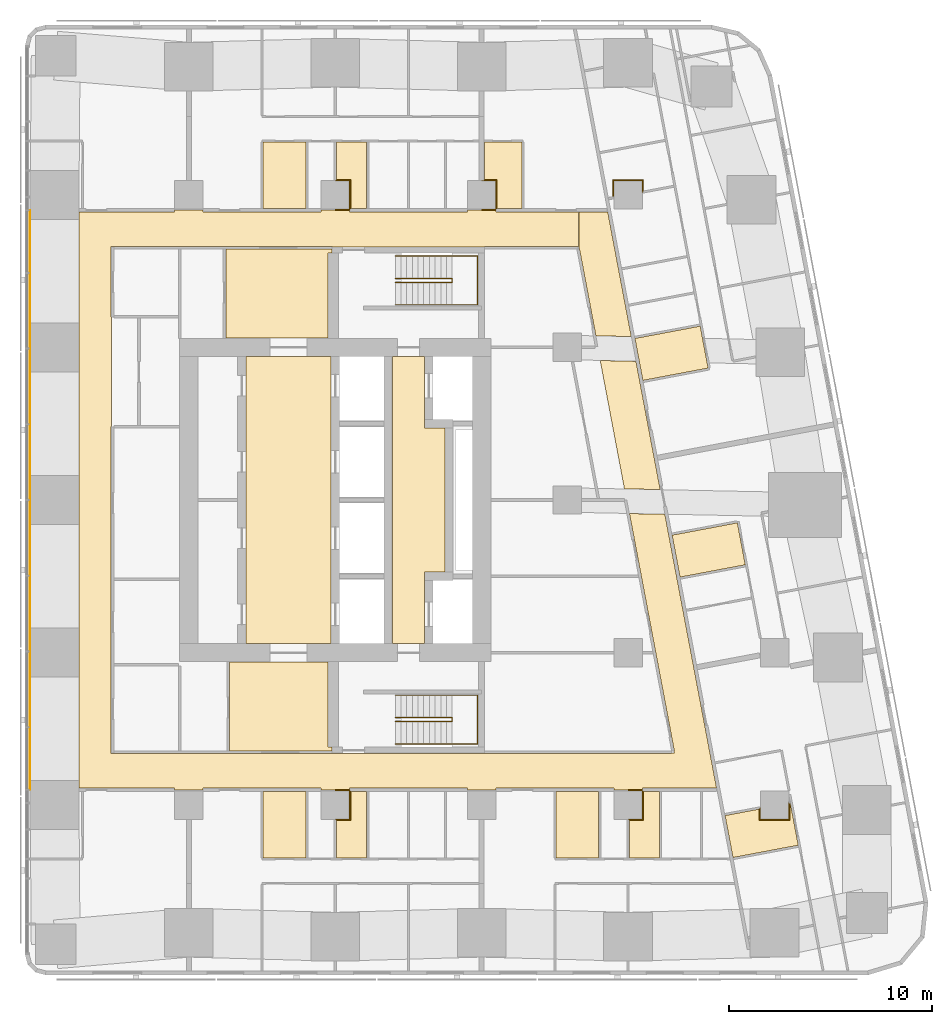
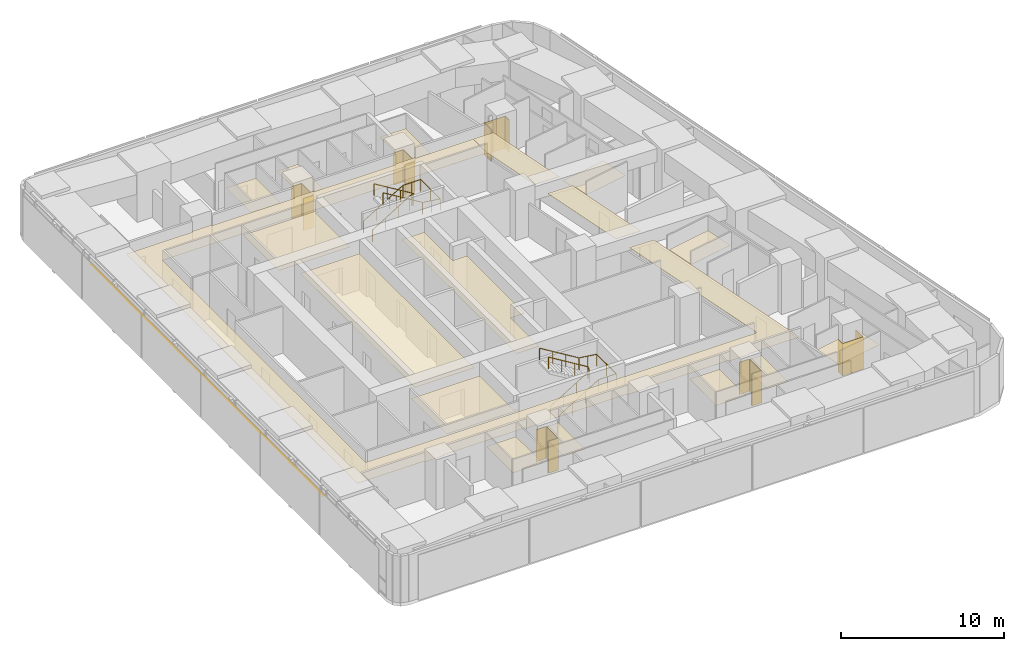
# One storey, part 19 of 19: 24 coverings, 4 railings.
"""IFC4 building model written with IfcOpenShell, lengths in metres."""

from ifc_helpers import new_model, si_unit, direction, frame, origin, origin_2d, place, context, subcontext, project, spatial, polyline, circle, outline, extrude, material, layer, layer_set, type_object, element, save


model = new_model("IFC4")

# Units and contexts
model_context = context("Model", 3, precision=1e-05, world=origin(), true_north=direction((0.0, 1.0)))
body_context = subcontext(model_context, "Body", "Model", "MODEL_VIEW")
ifc_project = project(units=[si_unit("LENGTHUNIT", "METRE"), si_unit("AREAUNIT", "SQUARE_METRE"), si_unit("VOLUMEUNIT", "CUBIC_METRE"), si_unit("PLANEANGLEUNIT", "RADIAN"), si_unit("MASSUNIT", "GRAM", prefix="KILO")], contexts=[model_context])

# Site, building, storey
site_placement = place(None, origin())
site = spatial("IfcSite", under=ifc_project, at=site_placement, CompositionType="ELEMENT")
building_placement = place(site_placement, origin())
building = spatial("IfcBuilding", under=site, at=building_placement, Name="Sheger Commons Tower", CompositionType="ELEMENT")
storey_placement = place(building_placement, frame((0.0, 0.0, 201.199951171875)))
storey = spatial("IfcBuildingStorey", under=building, at=storey_placement, Name="L51", CompositionType="ELEMENT", Elevation=201.199951171875)

# Railings
ifc_material_1 = material(Name="Steel handrail, black powder-coated", Category="steel")
railing_type = type_object("IfcRailingType", Name="HANDRAIL 900", PredefinedType="HANDRAIL", material=ifc_material_1)
railing_1_placement = place(storey_placement, frame((24.550048828125, 11.60009765625, 0.17041015625)))
element("IfcRailing", 1, at=railing_1_placement, inside=storey, type_object=railing_type, Name="Stair S1 handrail L51", PredefinedType="HANDRAIL", context=body_context, shape_type="SweptSolid", body=[
    extrude(circle(Radius=0.02392578125, at=origin_2d()), frame((0.0, 0.0, 0.8759765625), z_axis=(0.854169791009, 0.0, 0.51999420009), x_axis=(0.0, 1.0, 0.0)), (0.0, 0.0, 1.0), 3.278076171875),
    extrude(circle(Radius=0.02392578125, at=origin_2d()), frame((2.800048828125, 0.0, 2.58056640625), z_axis=(0.0, 0.761090297175, 0.648645943136), x_axis=(-1.0, 0.0, 0.0)), (0.0, 0.0, 1.0), 0.2626953125),
    extrude(circle(Radius=0.02392578125, at=origin_2d()), frame((2.800048828125, 0.199951171875, 2.7509765625), z_axis=(-0.854169791009, 0.0, 0.51999420009), x_axis=(0.0, -1.0, 0.0)), (0.0, 0.0, 1.0), 3.278076171875),
    extrude(circle(Radius=0.02099609375, at=origin_2d()), origin(), (0.0, 0.0, 1.0), 0.851806640625),
    extrude(circle(Radius=0.02099609375, at=origin_2d()), frame((0.933349609375, 0.0, 0.568115234375)), (0.0, 0.0, 1.0), 0.851806640625),
    extrude(circle(Radius=0.02099609375, at=origin_2d()), frame((1.86669921875, 0.0, 1.136474609375)), (0.0, 0.0, 1.0), 0.851806640625),
    extrude(circle(Radius=0.02099609375, at=origin_2d()), frame((2.800048828125, 0.0, 1.70458984375)), (0.0, 0.0, 1.0), 0.851806640625),
    extrude(circle(Radius=0.02099609375, at=origin_2d()), frame((2.800048828125, 0.199951171875, 1.875)), (0.0, 0.0, 1.0), 0.851806640625),
    extrude(circle(Radius=0.02099609375, at=origin_2d()), frame((1.86669921875, 0.199951171875, 2.443115234375)), (0.0, 0.0, 1.0), 0.851806640625),
    extrude(circle(Radius=0.02099609375, at=origin_2d()), frame((0.933349609375, 0.199951171875, 3.011474609375)), (0.0, 0.0, 1.0), 0.851806640625),
    extrude(circle(Radius=0.02099609375, at=origin_2d()), frame((0.0, 0.199951171875, 3.57958984375)), (0.0, 0.0, 1.0), 0.851806640625),
])
railing_2_placement = place(storey_placement, frame((24.550048828125, 10.5, 0.17041015625)))
element("IfcRailing", 2, at=railing_2_placement, inside=storey, type_object=railing_type, Name="Stair S1 handrail L51", PredefinedType="HANDRAIL", context=body_context, shape_type="SweptSolid", body=[
    extrude(circle(Radius=0.02392578125, at=origin_2d()), frame((0.0, 0.0, 0.8759765625), z_axis=(0.854169791009, 0.0, 0.51999420009), x_axis=(0.0, 1.0, 0.0)), (0.0, 0.0, 1.0), 3.278076171875),
    extrude(circle(Radius=0.02392578125, at=origin_2d()), frame((2.800048828125, 0.0, 2.58056640625), z_axis=(1.0, 0.0, 0.0), x_axis=(0.0, 1.0, 0.0)), (0.0, 0.0, 1.0), 1.25),
    extrude(circle(Radius=0.02392578125, at=origin_2d()), frame((4.050048828125, 0.0, 2.58056640625), z_axis=(0.0, 1.0, 0.0), x_axis=(-1.0, 0.0, 0.0)), (0.0, 0.0, 1.0), 2.39990234375),
    extrude(circle(Radius=0.02392578125, at=origin_2d()), frame((4.050048828125, 2.39990234375, 2.58056640625), z_axis=(-0.990834877927, 0.0, 0.135078661092), x_axis=(0.0, -1.0, 0.0)), (0.0, 0.0, 1.0), 1.261474609375),
    extrude(circle(Radius=0.02392578125, at=origin_2d()), frame((2.800048828125, 2.39990234375, 2.7509765625), z_axis=(-0.854169791009, 0.0, 0.51999420009), x_axis=(0.0, -1.0, 0.0)), (0.0, 0.0, 1.0), 3.278076171875),
    extrude(circle(Radius=0.02099609375, at=origin_2d()), origin(), (0.0, 0.0, 1.0), 0.851806640625),
    extrude(circle(Radius=0.02099609375, at=origin_2d()), frame((0.933349609375, 0.0, 0.568115234375)), (0.0, 0.0, 1.0), 0.851806640625),
    extrude(circle(Radius=0.02099609375, at=origin_2d()), frame((1.86669921875, 0.0, 1.136474609375)), (0.0, 0.0, 1.0), 0.851806640625),
    extrude(circle(Radius=0.02099609375, at=origin_2d()), frame((2.800048828125, 0.0, 1.70458984375)), (0.0, 0.0, 1.0), 0.851806640625),
    extrude(circle(Radius=0.02099609375, at=origin_2d()), frame((3.425048828125, 0.0, 1.70458984375)), (0.0, 0.0, 1.0), 0.851806640625),
    extrude(circle(Radius=0.02099609375, at=origin_2d()), frame((4.050048828125, 0.0, 1.70458984375)), (0.0, 0.0, 1.0), 0.851806640625),
    extrude(circle(Radius=0.02099609375, at=origin_2d()), frame((4.050048828125, 1.199951171875, 1.70458984375)), (0.0, 0.0, 1.0), 0.851806640625),
    extrude(circle(Radius=0.02099609375, at=origin_2d()), frame((4.050048828125, 2.39990234375, 1.70458984375)), (0.0, 0.0, 1.0), 0.851806640625),
    extrude(circle(Radius=0.02099609375, at=origin_2d()), frame((3.425048828125, 2.39990234375, 1.789794921875)), (0.0, 0.0, 1.0), 0.851806640625),
    extrude(circle(Radius=0.02099609375, at=origin_2d()), frame((2.800048828125, 2.39990234375, 1.875)), (0.0, 0.0, 1.0), 0.851806640625),
    extrude(circle(Radius=0.02099609375, at=origin_2d()), frame((1.86669921875, 2.39990234375, 2.443115234375)), (0.0, 0.0, 1.0), 0.851806640625),
    extrude(circle(Radius=0.02099609375, at=origin_2d()), frame((0.933349609375, 2.39990234375, 3.011474609375)), (0.0, 0.0, 1.0), 0.851806640625),
    extrude(circle(Radius=0.02099609375, at=origin_2d()), frame((0.0, 2.39990234375, 3.57958984375)), (0.0, 0.0, 1.0), 0.851806640625),
])
railing_3_placement = place(storey_placement, frame((24.550048828125, 33.39990234375, 0.17041015625)))
element("IfcRailing", 3, at=railing_3_placement, inside=storey, type_object=railing_type, Name="Stair S2 handrail L51", PredefinedType="HANDRAIL", context=body_context, shape_type="SweptSolid", body=[
    extrude(circle(Radius=0.02392578125, at=origin_2d()), frame((0.0, 0.0, 0.8759765625), z_axis=(0.854169791009, 0.0, 0.51999420009), x_axis=(0.0, 1.0, 0.0)), (0.0, 0.0, 1.0), 3.278076171875),
    extrude(circle(Radius=0.02392578125, at=origin_2d()), frame((2.800048828125, 0.0, 2.58056640625), z_axis=(0.0, -0.761090297175, 0.648645943136), x_axis=(1.0, 0.0, 0.0)), (0.0, 0.0, 1.0), 0.2626953125),
    extrude(circle(Radius=0.02392578125, at=origin_2d()), frame((2.800048828125, -0.199951171875, 2.7509765625), z_axis=(-0.854169791009, 0.0, 0.51999420009), x_axis=(0.0, -1.0, 0.0)), (0.0, 0.0, 1.0), 3.278076171875),
    extrude(circle(Radius=0.02099609375, at=origin_2d()), origin(), (0.0, 0.0, 1.0), 0.851806640625),
    extrude(circle(Radius=0.02099609375, at=origin_2d()), frame((0.933349609375, 0.0, 0.568115234375)), (0.0, 0.0, 1.0), 0.851806640625),
    extrude(circle(Radius=0.02099609375, at=origin_2d()), frame((1.86669921875, 0.0, 1.136474609375)), (0.0, 0.0, 1.0), 0.851806640625),
    extrude(circle(Radius=0.02099609375, at=origin_2d()), frame((2.800048828125, 0.0, 1.70458984375)), (0.0, 0.0, 1.0), 0.851806640625),
    extrude(circle(Radius=0.02099609375, at=origin_2d()), frame((2.800048828125, -0.199951171875, 1.875)), (0.0, 0.0, 1.0), 0.851806640625),
    extrude(circle(Radius=0.02099609375, at=origin_2d()), frame((1.86669921875, -0.199951171875, 2.443115234375)), (0.0, 0.0, 1.0), 0.851806640625),
    extrude(circle(Radius=0.02099609375, at=origin_2d()), frame((0.933349609375, -0.199951171875, 3.011474609375)), (0.0, 0.0, 1.0), 0.851806640625),
    extrude(circle(Radius=0.02099609375, at=origin_2d()), frame((0.0, -0.199951171875, 3.57958984375)), (0.0, 0.0, 1.0), 0.851806640625),
])
railing_4_placement = place(storey_placement, frame((24.550048828125, 34.5, 0.17041015625)))
element("IfcRailing", 4, at=railing_4_placement, inside=storey, type_object=railing_type, Name="Stair S2 handrail L51", PredefinedType="HANDRAIL", context=body_context, shape_type="SweptSolid", body=[
    extrude(circle(Radius=0.02392578125, at=origin_2d()), frame((0.0, 0.0, 0.8759765625), z_axis=(0.854169791009, 0.0, 0.51999420009), x_axis=(0.0, 1.0, 0.0)), (0.0, 0.0, 1.0), 3.278076171875),
    extrude(circle(Radius=0.02392578125, at=origin_2d()), frame((2.800048828125, 0.0, 2.58056640625), z_axis=(1.0, 0.0, 0.0), x_axis=(0.0, 1.0, 0.0)), (0.0, 0.0, 1.0), 1.25),
    extrude(circle(Radius=0.02392578125, at=origin_2d()), frame((4.050048828125, 0.0, 2.58056640625), z_axis=(0.0, -1.0, 0.0), x_axis=(1.0, 0.0, 0.0)), (0.0, 0.0, 1.0), 2.39990234375),
    extrude(circle(Radius=0.02392578125, at=origin_2d()), frame((4.050048828125, -2.39990234375, 2.58056640625), z_axis=(-0.990834877927, 0.0, 0.135078661092), x_axis=(0.0, -1.0, 0.0)), (0.0, 0.0, 1.0), 1.261474609375),
    extrude(circle(Radius=0.02392578125, at=origin_2d()), frame((2.800048828125, -2.39990234375, 2.7509765625), z_axis=(-0.854169791009, 0.0, 0.51999420009), x_axis=(0.0, -1.0, 0.0)), (0.0, 0.0, 1.0), 3.278076171875),
    extrude(circle(Radius=0.02099609375, at=origin_2d()), origin(), (0.0, 0.0, 1.0), 0.851806640625),
    extrude(circle(Radius=0.02099609375, at=origin_2d()), frame((0.933349609375, 0.0, 0.568115234375)), (0.0, 0.0, 1.0), 0.851806640625),
    extrude(circle(Radius=0.02099609375, at=origin_2d()), frame((1.86669921875, 0.0, 1.136474609375)), (0.0, 0.0, 1.0), 0.851806640625),
    extrude(circle(Radius=0.02099609375, at=origin_2d()), frame((2.800048828125, 0.0, 1.70458984375)), (0.0, 0.0, 1.0), 0.851806640625),
    extrude(circle(Radius=0.02099609375, at=origin_2d()), frame((3.425048828125, 0.0, 1.70458984375)), (0.0, 0.0, 1.0), 0.851806640625),
    extrude(circle(Radius=0.02099609375, at=origin_2d()), frame((4.050048828125, 0.0, 1.70458984375)), (0.0, 0.0, 1.0), 0.851806640625),
    extrude(circle(Radius=0.02099609375, at=origin_2d()), frame((4.050048828125, -1.199951171875, 1.70458984375)), (0.0, 0.0, 1.0), 0.851806640625),
    extrude(circle(Radius=0.02099609375, at=origin_2d()), frame((4.050048828125, -2.39990234375, 1.70458984375)), (0.0, 0.0, 1.0), 0.851806640625),
    extrude(circle(Radius=0.02099609375, at=origin_2d()), frame((3.425048828125, -2.39990234375, 1.789794921875)), (0.0, 0.0, 1.0), 0.851806640625),
    extrude(circle(Radius=0.02099609375, at=origin_2d()), frame((2.800048828125, -2.39990234375, 1.875)), (0.0, 0.0, 1.0), 0.851806640625),
    extrude(circle(Radius=0.02099609375, at=origin_2d()), frame((1.86669921875, -2.39990234375, 2.443115234375)), (0.0, 0.0, 1.0), 0.851806640625),
    extrude(circle(Radius=0.02099609375, at=origin_2d()), frame((0.933349609375, -2.39990234375, 3.011474609375)), (0.0, 0.0, 1.0), 0.851806640625),
    extrude(circle(Radius=0.02099609375, at=origin_2d()), frame((0.0, -2.39990234375, 3.57958984375)), (0.0, 0.0, 1.0), 0.851806640625),
])

# Coverings
ifc_material_2 = material(Name="Moisture-resistant gypsum plasterboard 15 mm on a suspended galvanised steel grid", Category="steel")
ifc_layer_1 = layer(ifc_material_2, 0.014892578125)
ifc_layer_set_1 = layer_set([ifc_layer_1], Name="MOISTURE-RESISTANT CEILING 15")
covering_type_1 = type_object("IfcCoveringType", Name="MOISTURE-RESISTANT CEILING 15", PredefinedType="CEILING", material=ifc_layer_set_1)
covering_1_placement = place(storey_placement, frame((0.0, 0.0, 2.400146484375)))
element("IfcCovering", 5, at=covering_1_placement, inside=storey, type_object=covering_type_1, Name="L51-02.B1 ceiling", PredefinedType="CEILING", context=body_context, shape_type="SweptSolid", body=[
    extrude(outline(polyline([(18.054931640625, 4.905029296875), (20.155029296875, 4.905029296875), (20.155029296875, 8.169921875), (18.054931640625, 8.169921875), (18.054931640625, 4.905029296875)])), origin(), (0.0, 0.0, 1.0), 0.014892578125),
])
covering_2_placement = place(storey_placement, frame((0.0, 0.0, 2.400146484375)))
element("IfcCovering", 6, at=covering_2_placement, inside=storey, type_object=covering_type_1, Name="L51-02.B2 ceiling", PredefinedType="CEILING", context=body_context, shape_type="SweptSolid", body=[
    extrude(outline(polyline([(21.655029296875, 4.905029296875), (23.14501953125, 4.905029296875), (23.14501953125, 8.169921875), (22.304931640625, 8.169921875), (22.304931640625, 6.794921875), (21.655029296875, 6.794921875), (21.655029296875, 4.905029296875)])), origin(), (0.0, 0.0, 1.0), 0.014892578125),
])
covering_3_placement = place(storey_placement, frame((0.0, 0.0, 2.400146484375)))
element("IfcCovering", 7, at=covering_3_placement, inside=storey, type_object=covering_type_1, Name="L51-03.B1 ceiling", PredefinedType="CEILING", context=body_context, shape_type="SweptSolid", body=[
    extrude(outline(polyline([(32.455078125, 4.905029296875), (34.554931640625, 4.905029296875), (34.554931640625, 8.169921875), (32.455078125, 8.169921875), (32.455078125, 4.905029296875)])), origin(), (0.0, 0.0, 1.0), 0.014892578125),
])
covering_4_placement = place(storey_placement, frame((0.0, 0.0, 2.400146484375)))
element("IfcCovering", 8, at=covering_4_placement, inside=storey, type_object=covering_type_1, Name="L51-03.B2 ceiling", PredefinedType="CEILING", context=body_context, shape_type="SweptSolid", body=[
    extrude(outline(polyline([(36.054931640625, 4.905029296875), (37.544921875, 4.905029296875), (37.544921875, 8.169921875), (36.705078125, 8.169921875), (36.705078125, 6.794921875), (36.054931640625, 6.794921875), (36.054931640625, 4.905029296875)])), origin(), (0.0, 0.0, 1.0), 0.014892578125),
])
covering_5_placement = place(storey_placement, frame((0.0, 0.0, 2.400146484375)))
element("IfcCovering", 9, at=covering_5_placement, inside=storey, type_object=covering_type_1, Name="L51-04.B1 ceiling", PredefinedType="CEILING", context=body_context, shape_type="SweptSolid", body=[
    extrude(outline(polyline([(36.72509765625, 28.37890625), (39.93310546875, 28.986083984375), (39.54296875, 31.049072265625), (36.3349609375, 30.443115234375), (36.72509765625, 28.37890625)])), origin(), (0.0, 0.0, 1.0), 0.014892578125),
])
covering_6_placement = place(storey_placement, frame((0.0, 0.0, 2.400146484375)))
element("IfcCovering", 10, at=covering_6_placement, inside=storey, type_object=covering_type_1, Name="L51-05.B1 ceiling", PredefinedType="CEILING", context=body_context, shape_type="SweptSolid", body=[
    extrude(outline(polyline([(38.552001953125, 18.7080078125), (41.760009765625, 19.31396484375), (41.3701171875, 21.3779296875), (38.162109375, 20.77197265625), (38.552001953125, 18.7080078125)])), origin(), (0.0, 0.0, 1.0), 0.014892578125),
])
covering_7_placement = place(storey_placement, frame((0.0, 0.0, 2.400146484375)))
element("IfcCovering", 11, at=covering_7_placement, inside=storey, type_object=covering_type_1, Name="L51-06.B1 ceiling", PredefinedType="CEILING", context=body_context, shape_type="SweptSolid", body=[
    extrude(outline(polyline([(41.156005859375, 4.9208984375), (44.364013671875, 5.527099609375), (43.97412109375, 7.591064453125), (43.9150390625, 7.580078125), (43.906982421875, 7.623046875), (43.905029296875, 7.623046875), (43.905029296875, 6.794921875), (42.4951171875, 6.794921875), (42.4951171875, 7.31201171875), (40.76611328125, 6.985107421875), (41.156005859375, 4.9208984375)])), origin(), (0.0, 0.0, 1.0), 0.014892578125),
])
covering_8_placement = place(storey_placement, frame((0.0, 0.0, 2.400146484375)))
element("IfcCovering", 12, at=covering_8_placement, inside=storey, type_object=covering_type_1, Name="L51-08.B1 ceiling", PredefinedType="CEILING", context=body_context, shape_type="SweptSolid", body=[
    extrude(outline(polyline([(18.054931640625, 36.830078125), (20.155029296875, 36.830078125), (20.155029296875, 40.094970703125), (18.054931640625, 40.094970703125), (18.054931640625, 36.830078125)])), origin(), (0.0, 0.0, 1.0), 0.014892578125),
])
covering_9_placement = place(storey_placement, frame((0.0, 0.0, 2.400146484375)))
element("IfcCovering", 13, at=covering_9_placement, inside=storey, type_object=covering_type_1, Name="L51-08.B2 ceiling", PredefinedType="CEILING", context=body_context, shape_type="SweptSolid", body=[
    extrude(outline(polyline([(22.304931640625, 36.830078125), (23.14501953125, 36.830078125), (23.14501953125, 40.094970703125), (21.655029296875, 40.094970703125), (21.655029296875, 38.205078125), (22.304931640625, 38.205078125), (22.304931640625, 36.830078125)])), origin(), (0.0, 0.0, 1.0), 0.014892578125),
])
covering_10_placement = place(storey_placement, frame((0.0, 0.0, 2.400146484375)))
element("IfcCovering", 14, at=covering_10_placement, inside=storey, type_object=covering_type_1, Name="L51-09.B1 ceiling", PredefinedType="CEILING", context=body_context, shape_type="SweptSolid", body=[
    extrude(outline(polyline([(29.5048828125, 36.830078125), (30.77392578125, 36.830078125), (30.77392578125, 40.094970703125), (28.929931640625, 40.094970703125), (28.929931640625, 38.205078125), (29.5048828125, 38.205078125), (29.5048828125, 36.830078125)])), origin(), (0.0, 0.0, 1.0), 0.014892578125),
])
ifc_material_3 = material(Name="Gypsum plasterboard 15 mm on a suspended steel grid", Category="steel")
ifc_layer_2 = layer(ifc_material_3, 0.014892578125)
ifc_layer_set_2 = layer_set([ifc_layer_2], Name="SUSPENDED CEILING 15")
covering_type_2 = type_object("IfcCoveringType", Name="SUSPENDED CEILING 15", PredefinedType="CEILING", material=ifc_layer_set_2)
covering_11_placement = place(storey_placement, frame((0.0, 0.0, 2.699951171875)))
element("IfcCovering", 15, at=covering_11_placement, inside=storey, type_object=covering_type_2, Name="L51-CO ceiling", PredefinedType="CEILING", context=body_context, shape_type="SweptSolid", body=[
    extrude(outline(polyline([(6.554931640625, 8.25), (6.594970703125, 8.25), (6.594970703125, 36.75), (6.554931640625, 36.75), (6.554931640625, 8.25)])), origin(), (0.0, 0.0, 1.0), 0.01513671875),
])
covering_12_placement = place(storey_placement, frame((0.0, 0.0, 2.699951171875)))
element("IfcCovering", 16, at=covering_12_placement, inside=storey, type_object=covering_type_2, Name="L51-CO ceiling", PredefinedType="CEILING", context=body_context, shape_type="SweptSolid", body=[
    extrude(outline(polyline([(13.7041015625, 8.25), (15.095947265625, 8.25), (15.095947265625, 8.330078125), (20.904052734375, 8.330078125), (20.904052734375, 8.25), (22.2958984375, 8.25), (22.2958984375, 8.330078125), (28.10400390625, 8.330078125), (28.10400390625, 8.25), (29.49609375, 8.25), (29.49609375, 8.330078125), (35.303955078125, 8.330078125), (35.303955078125, 8.25), (36.696044921875, 8.25), (36.696044921875, 8.330078125), (40.34912109375, 8.330078125), (37.804931640625, 21.798095703125), (36.06591796875, 21.8330078125), (38.26904296875, 10.1708984375), (38.251953125, 10.1669921875), (38.27392578125, 10.050048828125), (38.14306640625, 10.050048828125), (38.14306640625, 10.031982421875), (28.945068359375, 10.031982421875), (28.945068359375, 10.044921875), (21.455078125, 10.044921875), (21.455078125, 10.031982421875), (10.7080078125, 10.031982421875), (10.7080078125, 10.044921875), (10.58203125, 10.044921875), (10.58203125, 26.10498046875), (10.60009765625, 26.10498046875), (10.60009765625, 31.4951171875), (10.58203125, 31.4951171875), (10.58203125, 34.955078125), (10.7080078125, 34.955078125), (10.7080078125, 34.968017578125), (21.455078125, 34.968017578125), (21.455078125, 34.949951171875), (28.945068359375, 34.949951171875), (28.945068359375, 34.968017578125), (33.54296875, 34.968017578125), (33.54296875, 34.949951171875), (33.568115234375, 34.949951171875), (33.568115234375, 36.669921875), (29.49609375, 36.669921875), (29.49609375, 36.75), (28.10400390625, 36.75), (28.10400390625, 36.669921875), (22.2958984375, 36.669921875), (22.2958984375, 36.75), (20.904052734375, 36.75), (20.904052734375, 36.669921875), (15.095947265625, 36.669921875), (15.095947265625, 36.75), (13.7041015625, 36.75), (13.7041015625, 36.669921875), (9.0048828125, 36.669921875), (9.0048828125, 8.330078125), (13.7041015625, 8.330078125), (13.7041015625, 8.25)])), origin(), (0.0, 0.0, 1.0), 0.01513671875),
])
covering_13_placement = place(storey_placement, frame((0.0, 0.0, 2.699951171875)))
element("IfcCovering", 17, at=covering_13_placement, inside=storey, type_object=covering_type_2, Name="L51-CO ceiling", PredefinedType="CEILING", context=body_context, shape_type="SweptSolid", body=[
    extrude(outline(polyline([(37.575927734375, 23.011962890625), (36.385009765625, 29.318115234375), (34.626953125, 29.35791015625), (35.819091796875, 23.048095703125), (37.575927734375, 23.011962890625)])), origin(), (0.0, 0.0, 1.0), 0.01513671875),
])
covering_14_placement = place(storey_placement, frame((0.0, 0.0, 2.699951171875)))
element("IfcCovering", 18, at=covering_14_placement, inside=storey, type_object=covering_type_2, Name="L51-CO ceiling", PredefinedType="CEILING", context=body_context, shape_type="SweptSolid", body=[
    extrude(outline(polyline([(36.155029296875, 30.533935546875), (34.98095703125, 36.75), (34.97705078125, 36.75), (34.97705078125, 36.669921875), (33.572998046875, 36.669921875), (33.572998046875, 34.947998046875), (33.571044921875, 34.947998046875), (33.589111328125, 34.85205078125), (33.60595703125, 34.85498046875), (34.416015625, 30.572998046875), (36.155029296875, 30.533935546875)])), origin(), (0.0, 0.0, 1.0), 0.01513671875),
])
covering_15_placement = place(storey_placement, frame((0.0, 0.0, 2.699951171875)))
element("IfcCovering", 19, at=covering_15_placement, inside=storey, type_object=covering_type_2, Name="L51-SVS1 ceiling", PredefinedType="CEILING", context=body_context, shape_type="SweptSolid", body=[
    extrude(outline(polyline([(16.406982421875, 10.16796875), (21.445068359375, 10.16796875), (21.445068359375, 10.344970703125), (21.2451171875, 10.344970703125), (21.2451171875, 14.544921875), (16.406982421875, 14.544921875), (16.406982421875, 10.16796875)])), origin(), (0.0, 0.0, 1.0), 0.01513671875),
])
covering_16_placement = place(storey_placement, frame((0.0, 0.0, 2.699951171875)))
element("IfcCovering", 20, at=covering_16_placement, inside=storey, type_object=covering_type_2, Name="L51-SVN1 ceiling", PredefinedType="CEILING", context=body_context, shape_type="SweptSolid", body=[
    extrude(outline(polyline([(16.217041015625, 30.455078125), (21.2451171875, 30.455078125), (21.2451171875, 34.655029296875), (21.445068359375, 34.655029296875), (21.445068359375, 34.83203125), (16.217041015625, 34.83203125), (16.217041015625, 30.455078125)])), origin(), (0.0, 0.0, 1.0), 0.01513671875),
])
covering_17_placement = place(storey_placement, frame((0.0, 0.0, 2.699951171875)))
element("IfcCovering", 21, at=covering_17_placement, inside=storey, type_object=covering_type_2, Name="L51-LL ceiling", PredefinedType="CEILING", context=body_context, shape_type="SweptSolid", body=[
    extrude(outline(polyline([(17.205078125, 15.455078125), (21.39990234375, 15.455078125), (21.39990234375, 29.544921875), (17.205078125, 29.544921875), (17.205078125, 15.455078125)])), origin(), (0.0, 0.0, 1.0), 0.01513671875),
])
covering_18_placement = place(storey_placement, frame((0.0, 0.0, 2.699951171875)))
element("IfcCovering", 22, at=covering_18_placement, inside=storey, type_object=covering_type_2, Name="L51-FL ceiling", PredefinedType="CEILING", context=body_context, shape_type="SweptSolid", body=[
    extrude(outline(polyline([(24.405029296875, 15.455078125), (25.9951171875, 15.455078125), (25.9951171875, 18.955078125), (26.9951171875, 18.955078125), (26.9951171875, 26.044921875), (25.9951171875, 26.044921875), (25.9951171875, 29.544921875), (24.405029296875, 29.544921875), (24.405029296875, 15.455078125)])), origin(), (0.0, 0.0, 1.0), 0.01513671875),
])
ifc_material_4 = material(Name="Moisture-resistant gypsum board 12.5 mm on 25 mm treated timber battens, tanked and tiled", Category="wood")
ifc_layer_3 = layer(ifc_material_4, 0.050048828125)
ifc_layer_set_3 = layer_set([ifc_layer_3], Name="WET-ROOM COLUMN LINING")
covering_type_3 = type_object("IfcCoveringType", Name="WET-ROOM COLUMN LINING", PredefinedType="CLADDING", material=ifc_layer_set_3)
covering_19_placement = place(storey_placement, origin())
element("IfcCovering", 23, at=covering_19_placement, inside=storey, type_object=covering_type_3, Name="Shower room column lining C11 L51", PredefinedType="CLADDING", context=body_context, shape_type="SweptSolid", body=[
    extrude(outline(polyline([(22.35009765625, 6.75), (21.64990234375, 6.75), (21.64990234375, 6.799072265625), (21.60009765625, 6.799072265625), (21.60009765625, 6.800048828125), (22.300048828125, 6.800048828125), (22.300048828125, 8.199951171875), (21.60009765625, 8.199951171875), (21.60009765625, 8.25), (22.301025390625, 8.25), (22.301025390625, 8.175048828125), (22.35009765625, 8.175048828125), (22.35009765625, 6.75)])), origin(), (0.0, 0.0, 1.0), 2.400146484375),
])
covering_20_placement = place(storey_placement, origin())
element("IfcCovering", 24, at=covering_20_placement, inside=storey, type_object=covering_type_3, Name="Shower room column lining C11 L51", PredefinedType="CLADDING", context=body_context, shape_type="SweptSolid", body=[
    extrude(outline(polyline([(36.75, 6.75), (36.050048828125, 6.75), (36.050048828125, 6.799072265625), (36.0, 6.799072265625), (36.0, 6.800048828125), (36.699951171875, 6.800048828125), (36.699951171875, 8.199951171875), (36.0, 8.199951171875), (36.0, 8.25), (36.700927734375, 8.25), (36.700927734375, 8.175048828125), (36.75, 8.175048828125), (36.75, 6.75)])), origin(), (0.0, 0.0, 1.0), 2.400146484375),
])
covering_21_placement = place(storey_placement, origin())
element("IfcCovering", 25, at=covering_21_placement, inside=storey, type_object=covering_type_3, Name="Bathroom column lining C11 L51", PredefinedType="CLADDING", context=body_context, shape_type="SweptSolid", body=[
    extrude(outline(polyline([(42.5, 7.367919921875), (42.5, 6.800048828125), (43.89990234375, 6.800048828125), (43.89990234375, 7.633056640625), (43.909912109375, 7.635009765625), (43.9189453125, 7.5859375), (43.949951171875, 7.592041015625), (43.949951171875, 6.75), (42.449951171875, 6.75), (42.449951171875, 7.30908203125), (42.4990234375, 7.318115234375), (42.489990234375, 7.365966796875), (42.5, 7.367919921875)])), origin(), (0.0, 0.0, 1.0), 2.400146484375),
])
covering_22_placement = place(storey_placement, origin())
element("IfcCovering", 26, at=covering_22_placement, inside=storey, type_object=covering_type_3, Name="Shower room column lining C11 L51", PredefinedType="CLADDING", context=body_context, shape_type="SweptSolid", body=[
    extrude(outline(polyline([(22.35009765625, 36.824951171875), (22.301025390625, 36.824951171875), (22.301025390625, 36.75), (21.60009765625, 36.75), (21.60009765625, 36.800048828125), (22.300048828125, 36.800048828125), (22.300048828125, 38.199951171875), (21.60009765625, 38.199951171875), (21.60009765625, 38.200927734375), (21.64990234375, 38.200927734375), (21.64990234375, 38.25), (22.35009765625, 38.25), (22.35009765625, 36.824951171875)])), origin(), (0.0, 0.0, 1.0), 2.400146484375),
])
covering_23_placement = place(storey_placement, origin())
element("IfcCovering", 27, at=covering_23_placement, inside=storey, type_object=covering_type_3, Name="Shower room column lining C11 L51", PredefinedType="CLADDING", context=body_context, shape_type="SweptSolid", body=[
    extrude(outline(polyline([(29.550048828125, 36.824951171875), (29.5009765625, 36.824951171875), (29.5009765625, 36.75), (28.800048828125, 36.75), (28.800048828125, 36.800048828125), (29.5, 36.800048828125), (29.5, 38.199951171875), (28.800048828125, 38.199951171875), (28.800048828125, 38.200927734375), (28.925048828125, 38.200927734375), (28.925048828125, 38.25), (29.550048828125, 38.25), (29.550048828125, 36.824951171875)])), origin(), (0.0, 0.0, 1.0), 2.400146484375),
])
covering_24_placement = place(storey_placement, origin())
element("IfcCovering", 28, at=covering_24_placement, inside=storey, type_object=covering_type_3, Name="Laundry room column lining C11 L51", PredefinedType="CLADDING", context=body_context, shape_type="SweptSolid", body=[
    extrude(outline(polyline([(36.75, 38.25), (36.75, 37.69189453125), (36.700927734375, 37.68310546875), (36.7099609375, 37.635009765625), (36.699951171875, 37.633056640625), (36.699951171875, 38.199951171875), (35.300048828125, 38.199951171875), (35.300048828125, 37.367919921875), (35.2900390625, 37.365966796875), (35.281005859375, 37.4150390625), (35.25, 37.408935546875), (35.25, 38.25), (36.75, 38.25)])), origin(), (0.0, 0.0, 1.0), 2.400146484375),
])

save(model, "model.ifc")
